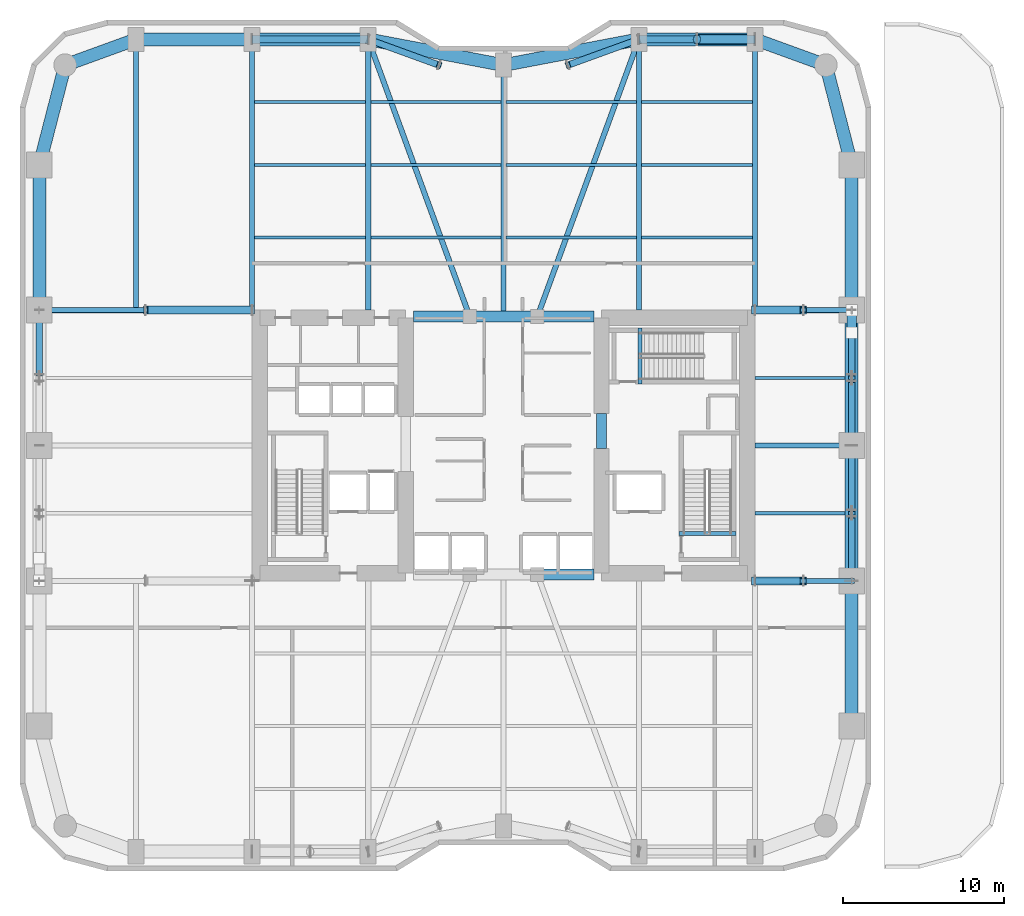
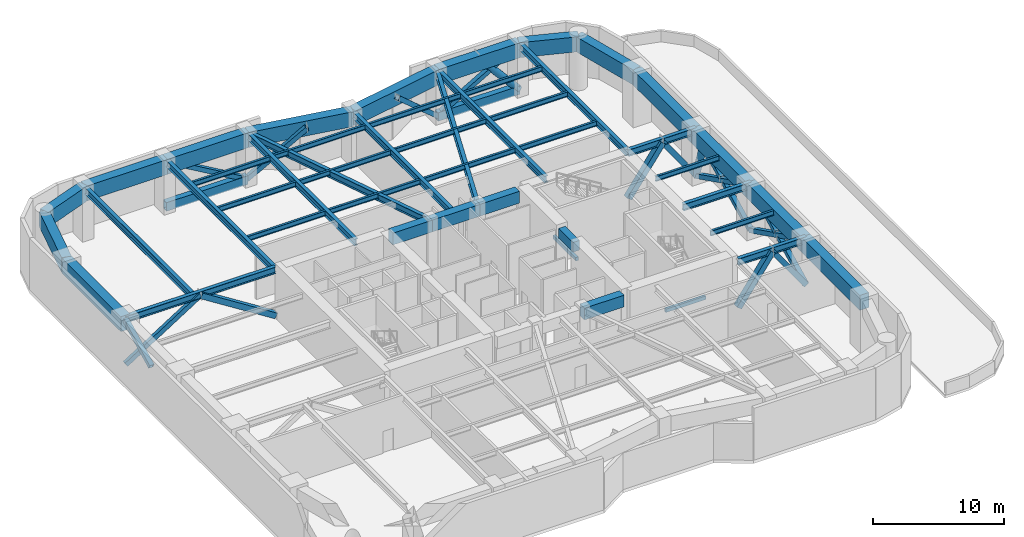
# One storey, part 2 of 16: 47 beams, 21 members.
"""IFC4 building model written with IfcOpenShell, lengths in metres."""

from ifc_helpers import new_model, si_unit, direction, frame, origin, origin_2d, place, context, subcontext, project, spatial, rectangle, hollow_rectangle, hollow_circle, i_section, extrude, material, material_profile, profile_set, type_object, element, save


model = new_model("IFC4")

# Units and contexts
model_context = context("Model", 3, precision=1e-05, world=origin(), true_north=direction((0.0, 1.0)))
body_context = subcontext(model_context, "Body", "Model", "MODEL_VIEW")
ifc_project = project(units=[si_unit("LENGTHUNIT", "METRE"), si_unit("AREAUNIT", "SQUARE_METRE"), si_unit("VOLUMEUNIT", "CUBIC_METRE"), si_unit("PLANEANGLEUNIT", "RADIAN"), si_unit("MASSUNIT", "GRAM", prefix="KILO")], contexts=[model_context])

# Site, building, storey
site_placement = place(None, origin())
site = spatial("IfcSite", under=ifc_project, at=site_placement, CompositionType="ELEMENT")
building_placement = place(site_placement, origin())
building = spatial("IfcBuilding", under=site, at=building_placement, Name="Kiyonajd Concourse Tower", CompositionType="ELEMENT")
storey_placement = place(building_placement, frame((0.0, 0.0, 80.699951171875)))
storey = spatial("IfcBuildingStorey", under=building, at=storey_placement, Name="L21", CompositionType="ELEMENT", Elevation=80.699951171875)

# Beams
ifc_material_1 = material(Name="Concrete C70/85", Category="concrete")
ifc_material_profile_1 = material_profile(ifc_material_1, rectangle(XDim=0.699951171875, YDim=1.10009765625, at=origin_2d()), Name="RCBM-700x1100")
ifc_profile_set_1 = profile_set([ifc_material_profile_1], Name="Concrete C70/85")
beam_type_1 = type_object("IfcBeamType", Name="BM-COUP-1100", PredefinedType="LINTEL", material=ifc_profile_set_1)
for number, where, z_axis, x_axis, name in (
    (1, (50.10009765625, 28.0, 4.2900390625), (1.0, 0.0, 0.0), (0.0, 1.0, 0.0), "L21 Core Coupling Beam S3"),
    (2, (42.39990234375, 44.0, 4.2900390625), (1.0, 0.0, 0.0), (0.0, 1.0, 0.0), "L21 Core Coupling Beam N1"),
):
    element("IfcBeam", number, at=place(storey_placement, frame(where, z_axis=z_axis, x_axis=x_axis)), inside=storey, type_object=beam_type_1, Name=name, PredefinedType="LINTEL", context=body_context, shape_type="SweptSolid", body=[
        extrude(rectangle(XDim=0.699951171875, YDim=1.10009765625, at=origin_2d()), origin(), (0.0, 0.0, 1.0), 3.5),
    ])
beam_1_placement = place(storey_placement, frame((45.89990234375, 44.0, 4.2900390625), z_axis=(1.0, 0.0, 0.0), x_axis=(0.0, 1.0, 0.0)))
element("IfcBeam", 3, at=beam_1_placement, inside=storey, type_object=beam_type_1, Name="L21 Core Coupling Beam N2", PredefinedType="LINTEL", context=body_context, shape_type="SweptSolid", body=[
    extrude(rectangle(XDim=0.699951171875, YDim=1.10009765625, at=origin_2d()), origin(), (0.0, 0.0, 1.0), 4.2001953125),
])
beam_2_placement = place(storey_placement, frame((50.10009765625, 44.0, 4.2900390625), z_axis=(1.0, 0.0, 0.0), x_axis=(0.0, 1.0, 0.0)))
element("IfcBeam", 4, at=beam_2_placement, inside=storey, type_object=beam_type_1, Name="L21 Core Coupling Beam N3", PredefinedType="LINTEL", context=body_context, shape_type="SweptSolid", body=[
    extrude(rectangle(XDim=0.699951171875, YDim=1.10009765625, at=origin_2d()), origin(), (0.0, 0.0, 1.0), 3.5),
])
ifc_material_2 = material(Name="Concrete C60/75", Category="concrete")
ifc_material_profile_2 = material_profile(ifc_material_2, rectangle(XDim=0.60009765625, YDim=0.89990234375, at=origin_2d()), Name="RCBM-600x900")
ifc_profile_set_2 = profile_set([ifc_material_profile_2], Name="Concrete C60/75")
beam_type_2 = type_object("IfcBeamType", Name="BM-COUP-900", PredefinedType="LINTEL", material=ifc_profile_set_2)
beam_3_placement = place(storey_placement, frame((54.074951171875, 35.800048828125, 4.2900390625), z_axis=(0.0, 1.0, 0.0), x_axis=(-1.0, 0.0, 0.0)))
element("IfcBeam", 5, at=beam_3_placement, inside=storey, type_object=beam_type_2, Name="L21 East Core Throat Coupling Lintel", PredefinedType="LINTEL", context=body_context, shape_type="SweptSolid", body=[
    extrude(rectangle(XDim=0.60009765625, YDim=0.89990234375, at=origin_2d()), origin(), (0.0, 0.0, 1.0), 2.199951171875),
])
ifc_material_3 = material(Name="Steel ASTM A992 Grade 50", Category="steel")
ifc_material_profile_3 = material_profile(ifc_material_3, i_section(OverallWidth=0.19189453125, OverallDepth=0.462890625, WebThickness=0.010498046875, FlangeThickness=0.017578125, at=origin_2d()), Name="W460X89")
ifc_profile_set_3 = profile_set([ifc_material_profile_3], Name="Steel ASTM A992 Grade 50")
beam_type_3 = type_object("IfcBeamType", Name="BM-JST-460B", PredefinedType="JOIST", material=ifc_profile_set_3)
beam_4_placement = place(storey_placement, frame((32.5634765625, 48.89990234375, 4.608642578125), z_axis=(1.0, 0.0, 0.0), x_axis=(0.0, 1.0, 0.0)))
element("IfcBeam", 6, at=beam_4_placement, inside=storey, type_object=beam_type_3, Name="L21 Secondary Floor Joist", PredefinedType="JOIST", context=body_context, shape_type="SweptSolid", body=[
    extrude(i_section(OverallWidth=0.19189453125, OverallDepth=0.462890625, WebThickness=0.010498046875, FlangeThickness=0.017578125, at=origin_2d()), origin(), (0.0, 0.0, 1.0), 6.873046875),
])
for number, where, z_axis, x_axis, name in (
    (7, (39.763427734375, 48.89990234375, 4.608642578125), (1.0, 0.0, 0.0), (0.0, 1.0, 0.0), "L21 Secondary Floor Joist"),
    (8, (48.16357421875, 48.89990234375, 4.608642578125), (1.0, 0.0, 0.0), (0.0, 1.0, 0.0), "L21 Secondary Floor Joist"),
):
    element("IfcBeam", number, at=place(storey_placement, frame(where, z_axis=z_axis, x_axis=x_axis)), inside=storey, type_object=beam_type_3, Name=name, PredefinedType="JOIST", context=body_context, shape_type="SweptSolid", body=[
        extrude(i_section(OverallWidth=0.19189453125, OverallDepth=0.462890625, WebThickness=0.010498046875, FlangeThickness=0.017578125, at=origin_2d()), origin(), (0.0, 0.0, 1.0), 8.072998046875),
    ])
for number, where, z_axis, x_axis, name in (
    (9, (56.5634765625, 48.89990234375, 4.608642578125), (1.0, 0.0, 0.0), (0.0, 1.0, 0.0), "L21 Secondary Floor Joist"),
    (10, (32.5634765625, 53.39990234375, 4.608642578125), (1.0, 0.0, 0.0), (0.0, 1.0, 0.0), "L21 Secondary Floor Joist"),
):
    element("IfcBeam", number, at=place(storey_placement, frame(where, z_axis=z_axis, x_axis=x_axis)), inside=storey, type_object=beam_type_3, Name=name, PredefinedType="JOIST", context=body_context, shape_type="SweptSolid", body=[
        extrude(i_section(OverallWidth=0.19189453125, OverallDepth=0.462890625, WebThickness=0.010498046875, FlangeThickness=0.017578125, at=origin_2d()), origin(), (0.0, 0.0, 1.0), 6.873046875),
    ])
for number, where, z_axis, x_axis, name in (
    (11, (39.763427734375, 53.39990234375, 4.608642578125), (1.0, 0.0, 0.0), (0.0, 1.0, 0.0), "L21 Secondary Floor Joist"),
    (12, (48.16357421875, 53.39990234375, 4.608642578125), (1.0, 0.0, 0.0), (0.0, 1.0, 0.0), "L21 Secondary Floor Joist"),
):
    element("IfcBeam", number, at=place(storey_placement, frame(where, z_axis=z_axis, x_axis=x_axis)), inside=storey, type_object=beam_type_3, Name=name, PredefinedType="JOIST", context=body_context, shape_type="SweptSolid", body=[
        extrude(i_section(OverallWidth=0.19189453125, OverallDepth=0.462890625, WebThickness=0.010498046875, FlangeThickness=0.017578125, at=origin_2d()), origin(), (0.0, 0.0, 1.0), 8.072998046875),
    ])
for number, where, z_axis, x_axis, name in (
    (13, (56.5634765625, 53.39990234375, 4.608642578125), (1.0, 0.0, 0.0), (0.0, 1.0, 0.0), "L21 Secondary Floor Joist"),
    (14, (32.5634765625, 57.300048828125, 4.608642578125), (1.0, 0.0, 0.0), (0.0, 1.0, 0.0), "L21 Secondary Floor Joist"),
):
    element("IfcBeam", number, at=place(storey_placement, frame(where, z_axis=z_axis, x_axis=x_axis)), inside=storey, type_object=beam_type_3, Name=name, PredefinedType="JOIST", context=body_context, shape_type="SweptSolid", body=[
        extrude(i_section(OverallWidth=0.19189453125, OverallDepth=0.462890625, WebThickness=0.010498046875, FlangeThickness=0.017578125, at=origin_2d()), origin(), (0.0, 0.0, 1.0), 6.873046875),
    ])
for number, where, z_axis, x_axis, name in (
    (15, (39.763427734375, 57.300048828125, 4.608642578125), (1.0, 0.0, 0.0), (0.0, 1.0, 0.0), "L21 Secondary Floor Joist"),
    (16, (48.16357421875, 57.300048828125, 4.608642578125), (1.0, 0.0, 0.0), (0.0, 1.0, 0.0), "L21 Secondary Floor Joist"),
):
    element("IfcBeam", number, at=place(storey_placement, frame(where, z_axis=z_axis, x_axis=x_axis)), inside=storey, type_object=beam_type_3, Name=name, PredefinedType="JOIST", context=body_context, shape_type="SweptSolid", body=[
        extrude(i_section(OverallWidth=0.19189453125, OverallDepth=0.462890625, WebThickness=0.010498046875, FlangeThickness=0.017578125, at=origin_2d()), origin(), (0.0, 0.0, 1.0), 8.072998046875),
    ])
beam_5_placement = place(storey_placement, frame((56.5634765625, 57.300048828125, 4.608642578125), z_axis=(1.0, 0.0, 0.0), x_axis=(0.0, 1.0, 0.0)))
element("IfcBeam", 17, at=beam_5_placement, inside=storey, type_object=beam_type_3, Name="L21 Secondary Floor Joist", PredefinedType="JOIST", context=body_context, shape_type="SweptSolid", body=[
    extrude(i_section(OverallWidth=0.19189453125, OverallDepth=0.462890625, WebThickness=0.010498046875, FlangeThickness=0.017578125, at=origin_2d()), origin(), (0.0, 0.0, 1.0), 6.873046875),
])
for number, where, z_axis, x_axis, name in (
    (18, (63.60009765625, 31.800048828125, 4.608642578125), (1.0, 0.0, 0.0), (0.0, 1.0, 0.0), "L21 East Secondary Floor Joist"),
    (19, (63.60009765625, 40.199951171875, 4.608642578125), (1.0, 0.0, 0.0), (0.0, 1.0, 0.0), "L21 East Secondary Floor Joist"),
):
    element("IfcBeam", number, at=place(storey_placement, frame(where, z_axis=z_axis, x_axis=x_axis)), inside=storey, type_object=beam_type_3, Name=name, PredefinedType="JOIST", context=body_context, shape_type="SweptSolid", body=[
        extrude(i_section(OverallWidth=0.19189453125, OverallDepth=0.462890625, WebThickness=0.010498046875, FlangeThickness=0.017578125, at=origin_2d()), origin(), (0.0, 0.0, 1.0), 5.599853515625),
    ])
ifc_material_4 = material(Name="Concrete C50/60", Category="concrete")
ifc_material_profile_4 = material_profile(ifc_material_4, rectangle(XDim=0.239990234375, YDim=0.320068359375, at=origin_2d()), Name="RCBM-240x320")
ifc_profile_set_4 = profile_set([ifc_material_profile_4], Name="Concrete C50/60")
beam_type_4 = type_object("IfcBeamType", Name="BM-LNT-250", PredefinedType="LINTEL", material=ifc_profile_set_4)
beam_6_placement = place(storey_placement, frame((58.889892578125, 30.530029296875, -0.159912109375), z_axis=(1.0, 0.0, 0.0), x_axis=(0.0, 1.0, 0.0)))
element("IfcBeam", 20, at=beam_6_placement, inside=storey, type_object=beam_type_4, Name="L21 Stair ST2 Threshold Support Beam", PredefinedType="LINTEL", context=body_context, shape_type="SweptSolid", body=[
    extrude(rectangle(XDim=0.239990234375, YDim=0.320068359375, at=origin_2d()), origin(), (0.0, 0.0, 1.0), 3.52001953125),
])
beam_7_placement = place(storey_placement, frame((56.4599609375, 39.820068359375, -0.159912109375), z_axis=(0.0, 1.0, 0.0), x_axis=(-1.0, 0.0, 0.0)))
element("IfcBeam", 21, at=beam_7_placement, inside=storey, type_object=beam_type_4, Name="L21 Stair ST3 Threshold Support Beam", PredefinedType="LINTEL", context=body_context, shape_type="SweptSolid", body=[
    extrude(rectangle(XDim=0.239990234375, YDim=0.320068359375, at=origin_2d()), origin(), (0.0, 0.0, 1.0), 3.4599609375),
])
ifc_material_profile_5 = material_profile(ifc_material_3, i_section(OverallWidth=0.326904296875, OverallDepth=0.6220703125, WebThickness=0.015380859375, FlangeThickness=0.0244140625, at=origin_2d()), Name="W610X195")
ifc_profile_set_5 = profile_set([ifc_material_profile_5], Name="Steel ASTM A992 Grade 50")
beam_type_5 = type_object("IfcBeamType", Name="BM-TWR-610A", PredefinedType="BEAM", material=ifc_profile_set_5)
for number, where, z_axis, x_axis, name in (
    (22, (39.60009765625, 61.199951171875, 4.529052734375), (0.343925269715, -0.938997022813, 0.0), (0.938997022813, 0.343925269715, 0.0), "L21 Core Tie Girder"),
    (23, (50.10009765625, 44.0, 4.529052734375), (0.343925269715, 0.938997022813, 0.0), (-0.938997022813, 0.343925269715, 0.0), "L21 Core Tie Girder"),
):
    element("IfcBeam", number, at=place(storey_placement, frame(where, z_axis=z_axis, x_axis=x_axis)), inside=storey, type_object=beam_type_5, Name=name, PredefinedType="BEAM", context=body_context, shape_type="SweptSolid", body=[
        extrude(i_section(OverallWidth=0.326904296875, OverallDepth=0.6220703125, WebThickness=0.015380859375, FlangeThickness=0.0244140625, at=origin_2d()), origin(), (0.0, 0.0, 1.0), 18.3173828125),
    ])
for number, where, z_axis, x_axis, name in (
    (24, (25.199951171875, 44.39990234375, 4.529052734375), (0.0, 1.0, 0.0), (-1.0, 0.0, 0.0), "L21 North Lease Girder"),
    (25, (32.39990234375, 44.39990234375, 4.529052734375), (0.0, 1.0, 0.0), (-1.0, 0.0, 0.0), "L21 North Lease Girder"),
    (26, (39.60009765625, 44.39990234375, 4.529052734375), (0.0, 1.0, 0.0), (-1.0, 0.0, 0.0), "L21 North Lease Girder"),
    (27, (56.39990234375, 44.39990234375, 4.529052734375), (0.0, 1.0, 0.0), (-1.0, 0.0, 0.0), "L21 North Lease Girder"),
    (28, (63.60009765625, 44.39990234375, 4.529052734375), (0.0, 1.0, 0.0), (-1.0, 0.0, 0.0), "L21 North Lease Girder"),
):
    element("IfcBeam", number, at=place(storey_placement, frame(where, z_axis=z_axis, x_axis=x_axis)), inside=storey, type_object=beam_type_5, Name=name, PredefinedType="BEAM", context=body_context, shape_type="SweptSolid", body=[
        extrude(i_section(OverallWidth=0.326904296875, OverallDepth=0.6220703125, WebThickness=0.015380859375, FlangeThickness=0.0244140625, at=origin_2d()), origin(), (0.0, 0.0, 1.0), 16.800048828125),
    ])
beam_8_placement = place(storey_placement, frame((48.0, 44.0, 4.529052734375), z_axis=(0.0, 1.0, 0.0), x_axis=(-1.0, 0.0, 0.0)))
element("IfcBeam", 29, at=beam_8_placement, inside=storey, type_object=beam_type_5, Name="L21 North Ribbon Girder", PredefinedType="BEAM", context=body_context, shape_type="SweptSolid", body=[
    extrude(i_section(OverallWidth=0.326904296875, OverallDepth=0.6220703125, WebThickness=0.015380859375, FlangeThickness=0.0244140625, at=origin_2d()), origin(), (0.0, 0.0, 1.0), 15.60009765625),
])
for number, where, z_axis, x_axis, name in (
    (30, (63.60009765625, 27.60009765625, 4.529052734375), (1.0, 0.0, 0.0), (0.0, 1.0, 0.0), "L21 East Lease Girder"),
    (31, (63.60009765625, 36.0, 4.529052734375), (1.0, 0.0, 0.0), (0.0, 1.0, 0.0), "L21 East Lease Girder"),
):
    element("IfcBeam", number, at=place(storey_placement, frame(where, z_axis=z_axis, x_axis=x_axis)), inside=storey, type_object=beam_type_5, Name=name, PredefinedType="BEAM", context=body_context, shape_type="SweptSolid", body=[
        extrude(i_section(OverallWidth=0.326904296875, OverallDepth=0.6220703125, WebThickness=0.015380859375, FlangeThickness=0.0244140625, at=origin_2d()), origin(), (0.0, 0.0, 1.0), 6.0),
    ])
beam_9_placement = place(storey_placement, frame((19.199951171875, 44.39990234375, 4.529052734375), z_axis=(1.0, 0.0, 0.0), x_axis=(0.0, 1.0, 0.0)))
element("IfcBeam", 32, at=beam_9_placement, inside=storey, type_object=beam_type_5, Name="L21 West Lease Girder", PredefinedType="BEAM", context=body_context, shape_type="SweptSolid", body=[
    extrude(i_section(OverallWidth=0.326904296875, OverallDepth=0.6220703125, WebThickness=0.015380859375, FlangeThickness=0.0244140625, at=origin_2d()), origin(), (0.0, 0.0, 1.0), 13.199951171875),
])
beam_10_placement = place(storey_placement, frame((63.60009765625, 44.39990234375, 4.529052734375), z_axis=(1.0, 0.0, 0.0), x_axis=(0.0, 1.0, 0.0)))
element("IfcBeam", 33, at=beam_10_placement, inside=storey, type_object=beam_type_5, Name="L21 East Lease Girder", PredefinedType="BEAM", context=body_context, shape_type="SweptSolid", body=[
    extrude(i_section(OverallWidth=0.326904296875, OverallDepth=0.6220703125, WebThickness=0.015380859375, FlangeThickness=0.0244140625, at=origin_2d()), origin(), (0.0, 0.0, 1.0), 6.0),
])
ifc_material_profile_6 = material_profile(ifc_material_2, rectangle(XDim=0.800048828125, YDim=1.39990234375, at=origin_2d()), Name="RCBM-800x1400")
ifc_profile_set_6 = profile_set([ifc_material_profile_6], Name="Concrete C60/75")
beam_type_6 = type_object("IfcBeamType", Name="BM-XFER-RC", PredefinedType="BEAM", material=ifc_profile_set_6)
beam_11_placement = place(storey_placement, frame((69.60009765625, 18.60009765625, 4.14013671875), z_axis=(0.0, 1.0, 0.0), x_axis=(-1.0, 0.0, 0.0)))
element("IfcBeam", 34, at=beam_11_placement, inside=storey, type_object=beam_type_6, Name="L21 Perimeter Bundled Tube Spandrel", PredefinedType="BEAM", context=body_context, shape_type="SweptSolid", body=[
    extrude(rectangle(XDim=0.800048828125, YDim=1.39990234375, at=origin_2d()), origin(), (0.0, 0.0, 1.0), 9.0),
])
for number, where, z_axis, x_axis, name in (
    (35, (69.60009765625, 27.60009765625, 4.14013671875), (0.0, 1.0, 0.0), (-1.0, 0.0, 0.0), "L21 Perimeter Bundled Tube Spandrel"),
    (36, (69.60009765625, 36.0, 4.14013671875), (0.0, 1.0, 0.0), (-1.0, 0.0, 0.0), "L21 Perimeter Bundled Tube Spandrel"),
):
    element("IfcBeam", number, at=place(storey_placement, frame(where, z_axis=z_axis, x_axis=x_axis)), inside=storey, type_object=beam_type_6, Name=name, PredefinedType="BEAM", context=body_context, shape_type="SweptSolid", body=[
        extrude(rectangle(XDim=0.800048828125, YDim=1.39990234375, at=origin_2d()), origin(), (0.0, 0.0, 1.0), 8.39990234375),
    ])
beam_12_placement = place(storey_placement, frame((69.60009765625, 44.39990234375, 4.14013671875), z_axis=(0.0, 1.0, 0.0), x_axis=(-1.0, 0.0, 0.0)))
element("IfcBeam", 37, at=beam_12_placement, inside=storey, type_object=beam_type_6, Name="L21 Perimeter Bundled Tube Spandrel", PredefinedType="BEAM", context=body_context, shape_type="SweptSolid", body=[
    extrude(rectangle(XDim=0.800048828125, YDim=1.39990234375, at=origin_2d()), origin(), (0.0, 0.0, 1.0), 9.0),
])
beam_13_placement = place(storey_placement, frame((69.60009765625, 53.39990234375, 4.14013671875), z_axis=(-0.249884937687, 0.968275538221, 0.0), x_axis=(-0.968275538221, -0.249884937687, 0.0)))
element("IfcBeam", 38, at=beam_13_placement, inside=storey, type_object=beam_type_6, Name="L21 Perimeter Bundled Tube Spandrel", PredefinedType="BEAM", context=body_context, shape_type="SweptSolid", body=[
    extrude(rectangle(XDim=0.800048828125, YDim=1.39990234375, at=origin_2d()), origin(), (0.0, 0.0, 1.0), 6.4033203125),
])
beam_14_placement = place(storey_placement, frame((68.0, 59.60009765625, 4.14013671875), z_axis=(-0.939801036019, 0.341722127901, 0.0), x_axis=(-0.341722127901, -0.939801036019, 0.0)))
element("IfcBeam", 39, at=beam_14_placement, inside=storey, type_object=beam_type_6, Name="L21 Perimeter Bundled Tube Spandrel", PredefinedType="BEAM", context=body_context, shape_type="SweptSolid", body=[
    extrude(rectangle(XDim=0.800048828125, YDim=1.39990234375, at=origin_2d()), origin(), (0.0, 0.0, 1.0), 4.681640625),
])
beam_15_placement = place(storey_placement, frame((63.60009765625, 61.199951171875, 4.14013671875), z_axis=(-1.0, 0.0, 0.0), x_axis=(0.0, -1.0, 0.0)))
element("IfcBeam", 40, at=beam_15_placement, inside=storey, type_object=beam_type_6, Name="L21 Perimeter Bundled Tube Spandrel", PredefinedType="BEAM", context=body_context, shape_type="SweptSolid", body=[
    extrude(rectangle(XDim=0.800048828125, YDim=1.39990234375, at=origin_2d()), origin(), (0.0, 0.0, 1.0), 7.2001953125),
])
for number, where, z_axis, x_axis, name in (
    (41, (56.39990234375, 61.199951171875, 4.14013671875), (-0.982341315253, -0.187097675953, 0.0), (0.187097675953, -0.982341315253, 0.0), "L21 Perimeter Bundled Tube Spandrel"),
    (42, (48.0, 59.60009765625, 4.14013671875), (-0.982341315253, 0.187097675953, 0.0), (-0.187097675953, -0.982341315253, 0.0), "L21 Perimeter Bundled Tube Spandrel"),
):
    element("IfcBeam", number, at=place(storey_placement, frame(where, z_axis=z_axis, x_axis=x_axis)), inside=storey, type_object=beam_type_6, Name=name, PredefinedType="BEAM", context=body_context, shape_type="SweptSolid", body=[
        extrude(rectangle(XDim=0.800048828125, YDim=1.39990234375, at=origin_2d()), origin(), (0.0, 0.0, 1.0), 8.55078125),
    ])
beam_16_placement = place(storey_placement, frame((39.60009765625, 61.199951171875, 4.14013671875), z_axis=(-1.0, 0.0, 0.0), x_axis=(0.0, -1.0, 0.0)))
element("IfcBeam", 43, at=beam_16_placement, inside=storey, type_object=beam_type_6, Name="L21 Perimeter Bundled Tube Spandrel", PredefinedType="BEAM", context=body_context, shape_type="SweptSolid", body=[
    extrude(rectangle(XDim=0.800048828125, YDim=1.39990234375, at=origin_2d()), origin(), (0.0, 0.0, 1.0), 7.2001953125),
])
beam_17_placement = place(storey_placement, frame((32.39990234375, 61.199951171875, 4.14013671875), z_axis=(-1.0, 0.0, 0.0), x_axis=(0.0, -1.0, 0.0)))
element("IfcBeam", 44, at=beam_17_placement, inside=storey, type_object=beam_type_6, Name="L21 Perimeter Bundled Tube Spandrel", PredefinedType="BEAM", context=body_context, shape_type="SweptSolid", body=[
    extrude(rectangle(XDim=0.800048828125, YDim=1.39990234375, at=origin_2d()), origin(), (0.0, 0.0, 1.0), 7.199951171875),
])
beam_18_placement = place(storey_placement, frame((25.199951171875, 61.199951171875, 4.14013671875), z_axis=(-0.939801036019, -0.341722127901, 0.0), x_axis=(0.341722127901, -0.939801036019, 0.0)))
element("IfcBeam", 45, at=beam_18_placement, inside=storey, type_object=beam_type_6, Name="L21 Perimeter Bundled Tube Spandrel", PredefinedType="BEAM", context=body_context, shape_type="SweptSolid", body=[
    extrude(rectangle(XDim=0.800048828125, YDim=1.39990234375, at=origin_2d()), origin(), (0.0, 0.0, 1.0), 4.681640625),
])
beam_19_placement = place(storey_placement, frame((20.800048828125, 59.60009765625, 4.14013671875), z_axis=(-0.249884937687, -0.968275538221, 0.0), x_axis=(0.968275538221, -0.249884937687, 0.0)))
element("IfcBeam", 46, at=beam_19_placement, inside=storey, type_object=beam_type_6, Name="L21 Perimeter Bundled Tube Spandrel", PredefinedType="BEAM", context=body_context, shape_type="SweptSolid", body=[
    extrude(rectangle(XDim=0.800048828125, YDim=1.39990234375, at=origin_2d()), origin(), (0.0, 0.0, 1.0), 6.4033203125),
])
beam_20_placement = place(storey_placement, frame((19.199951171875, 53.39990234375, 4.14013671875), z_axis=(0.0, -1.0, 0.0), x_axis=(1.0, 0.0, 0.0)))
element("IfcBeam", 47, at=beam_20_placement, inside=storey, type_object=beam_type_6, Name="L21 Perimeter Bundled Tube Spandrel", PredefinedType="BEAM", context=body_context, shape_type="SweptSolid", body=[
    extrude(rectangle(XDim=0.800048828125, YDim=1.39990234375, at=origin_2d()), origin(), (0.0, 0.0, 1.0), 9.0),
])

# Members
ifc_material_5 = material(Name="Steel ASTM A572 Grade 50", Category="steel")
ifc_material_profile_7 = material_profile(ifc_material_5, hollow_rectangle(XDim=0.5, YDim=0.800048828125, WallThickness=0.044921875, at=origin_2d()), Name="BOX-800x500x45")
ifc_profile_set_7 = profile_set([ifc_material_profile_7], Name="Steel ASTM A572 Grade 50")
member_type_1 = type_object("IfcMemberType", Name="MB-BT-CHORD", PredefinedType="CHORD", material=ifc_profile_set_7)
for number, where, z_axis, x_axis, name in (
    (48, (32.39990234375, 61.199951171875, 0.300048828125), (1.0, 0.0, 0.0), (0.0, 1.0, 0.0), "L21 Belt Truss Bottom Chord 03"),
    (49, (56.39990234375, 61.199951171875, 0.300048828125), (1.0, 0.0, 0.0), (0.0, 1.0, 0.0), "L21 Belt Truss Bottom Chord 04"),
):
    element("IfcMember", number, at=place(storey_placement, frame(where, z_axis=z_axis, x_axis=x_axis)), inside=storey, type_object=member_type_1, Name=name, PredefinedType="CHORD", context=body_context, shape_type="SweptSolid", body=[
        extrude(hollow_rectangle(XDim=0.5, YDim=0.800048828125, WallThickness=0.044921875, at=origin_2d()), origin(), (0.0, 0.0, 1.0), 7.2001953125),
    ])
ifc_material_6 = material(Name="Steel ASTM A500 Grade C", Category="steel")
ifc_material_profile_8 = material_profile(ifc_material_6, hollow_rectangle(XDim=0.39990234375, YDim=0.39990234375, WallThickness=0.02001953125, at=origin_2d()), Name="HSS-400x400x20")
ifc_profile_set_8 = profile_set([ifc_material_profile_8], Name="Steel ASTM A500 Grade C")
member_type_2 = type_object("IfcMemberType", Name="MB-BT-DIAG", PredefinedType="BRACE", material=ifc_profile_set_8)
member_1_placement = place(storey_placement, frame((32.39990234375, 61.199951171875, 4.489990234375), z_axis=(0.864309887025, 0.0, -0.502959659607), x_axis=(0.0, 1.0, 0.0)))
element("IfcMember", 50, at=member_1_placement, inside=storey, type_object=member_type_2, Name="L21 Outrigger and Belt Truss Member 13", PredefinedType="BRACE", context=body_context, shape_type="SweptSolid", body=[
    extrude(hollow_rectangle(XDim=0.39990234375, YDim=0.39990234375, WallThickness=0.02001953125, at=origin_2d()), origin(), (0.0, 0.0, 1.0), 8.33056640625),
])
for number, where, z_axis, x_axis, name in (
    (51, (39.60009765625, 61.199951171875, 0.300048828125), (0.700302898396, -0.254637936588, 0.666884826449), (0.341722127901, 0.939801036019, 0.0), "L21 Outrigger and Belt Truss Member 14"),
    (52, (52.0, 59.60009765625, 4.489990234375), (0.700302898396, 0.254637936588, -0.666884826449), (-0.341722127901, 0.939801036019, 0.0), "L21 Outrigger and Belt Truss Member 15"),
):
    element("IfcMember", number, at=place(storey_placement, frame(where, z_axis=z_axis, x_axis=x_axis)), inside=storey, type_object=member_type_2, Name=name, PredefinedType="BRACE", context=body_context, shape_type="SweptSolid", body=[
        extrude(hollow_rectangle(XDim=0.39990234375, YDim=0.39990234375, WallThickness=0.02001953125, at=origin_2d()), origin(), (0.0, 0.0, 1.0), 6.282958984375),
    ])
member_2_placement = place(storey_placement, frame((56.39990234375, 61.199951171875, 0.300048828125), z_axis=(0.864309887025, 0.0, 0.502959659607), x_axis=(0.0, 1.0, 0.0)))
element("IfcMember", 53, at=member_2_placement, inside=storey, type_object=member_type_2, Name="L21 Outrigger and Belt Truss Member 16", PredefinedType="BRACE", context=body_context, shape_type="SweptSolid", body=[
    extrude(hollow_rectangle(XDim=0.39990234375, YDim=0.39990234375, WallThickness=0.02001953125, at=origin_2d()), origin(), (0.0, 0.0, 1.0), 8.33056640625),
])
member_3_placement = place(storey_placement, frame((19.199951171875, 40.40576171875, 2.497802734375), z_axis=(0.0, 0.894864349312, 0.446338208459), x_axis=(-1.0, 0.0, 0.0)))
element("IfcMember", 54, at=member_3_placement, inside=storey, type_object=member_type_2, Name="L21 Belt Truss Split X Brace Upper W2", PredefinedType="BRACE", context=body_context, shape_type="SweptSolid", body=[
    extrude(hollow_rectangle(XDim=0.39990234375, YDim=0.39990234375, WallThickness=0.02001953125, at=origin_2d()), origin(), (0.0, 0.0, 1.0), 4.46337890625),
])
member_4_placement = place(storey_placement, frame((69.60009765625, 27.60009765625, 4.489990234375), z_axis=(0.0, 0.894853325898, -0.44636030864), x_axis=(-1.0, 0.0, 0.0)))
element("IfcMember", 55, at=member_4_placement, inside=storey, type_object=member_type_2, Name="L21 Belt Truss Continuous X Brace E1", PredefinedType="BRACE", context=body_context, shape_type="SweptSolid", body=[
    extrude(hollow_rectangle(XDim=0.39990234375, YDim=0.39990234375, WallThickness=0.02001953125, at=origin_2d()), origin(), (0.0, 0.0, 1.0), 9.386962890625),
])
for number, where, z_axis, x_axis, name in (
    (56, (69.60009765625, 27.60009765625, 0.300048828125), (0.0, 0.894864349312, 0.446338208459), (-1.0, 0.0, 0.0), "L21 Belt Truss Split X Brace Lower E1"),
    (57, (69.60009765625, 32.005859375, 2.497802734375), (0.0, 0.894864349312, 0.446338208459), (-1.0, 0.0, 0.0), "L21 Belt Truss Split X Brace Upper E1"),
):
    element("IfcMember", number, at=place(storey_placement, frame(where, z_axis=z_axis, x_axis=x_axis)), inside=storey, type_object=member_type_2, Name=name, PredefinedType="BRACE", context=body_context, shape_type="SweptSolid", body=[
        extrude(hollow_rectangle(XDim=0.39990234375, YDim=0.39990234375, WallThickness=0.02001953125, at=origin_2d()), origin(), (0.0, 0.0, 1.0), 4.46337890625),
    ])
member_5_placement = place(storey_placement, frame((69.60009765625, 36.0, 4.489990234375), z_axis=(0.0, 0.894853325898, -0.44636030864), x_axis=(-1.0, 0.0, 0.0)))
element("IfcMember", 58, at=member_5_placement, inside=storey, type_object=member_type_2, Name="L21 Belt Truss Continuous X Brace E2", PredefinedType="BRACE", context=body_context, shape_type="SweptSolid", body=[
    extrude(hollow_rectangle(XDim=0.39990234375, YDim=0.39990234375, WallThickness=0.02001953125, at=origin_2d()), origin(), (0.0, 0.0, 1.0), 9.386962890625),
])
for number, where, z_axis, x_axis, name in (
    (59, (69.60009765625, 36.0, 0.300048828125), (0.0, 0.894864349312, 0.446338208459), (-1.0, 0.0, 0.0), "L21 Belt Truss Split X Brace Lower E2"),
    (60, (69.60009765625, 40.40576171875, 2.497802734375), (0.0, 0.894864349312, 0.446338208459), (-1.0, 0.0, 0.0), "L21 Belt Truss Split X Brace Upper E2"),
):
    element("IfcMember", number, at=place(storey_placement, frame(where, z_axis=z_axis, x_axis=x_axis)), inside=storey, type_object=member_type_2, Name=name, PredefinedType="BRACE", context=body_context, shape_type="SweptSolid", body=[
        extrude(hollow_rectangle(XDim=0.39990234375, YDim=0.39990234375, WallThickness=0.02001953125, at=origin_2d()), origin(), (0.0, 0.0, 1.0), 4.46337890625),
    ])
ifc_material_profile_9 = material_profile(ifc_material_6, hollow_rectangle(XDim=0.300048828125, YDim=0.449951171875, WallThickness=0.02197265625, at=origin_2d()), Name="HSS-450x300x22")
ifc_profile_set_9 = profile_set([ifc_material_profile_9], Name="Steel ASTM A500 Grade C")
member_type_3 = type_object("IfcMemberType", Name="MB-OT-DIAG", PredefinedType="BRACE", material=ifc_profile_set_9)
member_6_placement = place(storey_placement, frame((25.800048828125, 44.39990234375, 4.489990234375), z_axis=(-0.844247356721, 0.0, -0.535953729971), x_axis=(0.0, -1.0, 0.0)))
element("IfcMember", 61, at=member_6_placement, inside=storey, type_object=member_type_3, Name="L21 Outrigger and Belt Truss Member 04", PredefinedType="BRACE", context=body_context, shape_type="SweptSolid", body=[
    extrude(hollow_rectangle(XDim=0.300048828125, YDim=0.449951171875, WallThickness=0.02197265625, at=origin_2d()), origin(), (0.0, 0.0, 1.0), 7.817626953125),
])
for number, where, z_axis, x_axis, name in (
    (62, (66.60009765625, 27.60009765625, 4.489990234375), (0.582161018937, 0.0, -0.81307351945), (0.0, 1.0, 0.0), "L21 Outrigger and Belt Truss Member 06"),
    (63, (66.60009765625, 44.39990234375, 4.489990234375), (0.582161018937, 0.0, -0.81307351945), (0.0, 1.0, 0.0), "L21 Outrigger and Belt Truss Member 08"),
):
    element("IfcMember", number, at=place(storey_placement, frame(where, z_axis=z_axis, x_axis=x_axis)), inside=storey, type_object=member_type_3, Name=name, PredefinedType="BRACE", context=body_context, shape_type="SweptSolid", body=[
        extrude(hollow_rectangle(XDim=0.300048828125, YDim=0.449951171875, WallThickness=0.02197265625, at=origin_2d()), origin(), (0.0, 0.0, 1.0), 5.1533203125),
    ])
ifc_material_profile_10 = material_profile(ifc_material_5, hollow_rectangle(XDim=0.5, YDim=0.5, WallThickness=0.02490234375, at=origin_2d()), Name="HSS-500x500x25")
ifc_profile_set_10 = profile_set([ifc_material_profile_10], Name="Steel ASTM A572 Grade 50")
member_type_4 = type_object("IfcMemberType", Name="MB-OT-STRUT", PredefinedType="STRUT", material=ifc_profile_set_10)
member_7_placement = place(storey_placement, frame((32.39990234375, 44.39990234375, 0.300048828125), z_axis=(-0.844238385921, 0.0, 0.535967860732), x_axis=(0.0, -1.0, 0.0)))
element("IfcMember", 64, at=member_7_placement, inside=storey, type_object=member_type_4, Name="L21 Outrigger and Belt Truss Member 03", PredefinedType="STRUT", context=body_context, shape_type="SweptSolid", body=[
    extrude(hollow_rectangle(XDim=0.5, YDim=0.5, WallThickness=0.02490234375, at=origin_2d()), origin(), (0.0, 0.0, 1.0), 7.817626953125),
])
for number, where, z_axis, x_axis, name in (
    (65, (63.60009765625, 27.60009765625, 0.300048828125), (0.582161018937, 0.0, 0.81307351945), (0.0, 1.0, 0.0), "L21 Outrigger and Belt Truss Member 05"),
    (66, (63.60009765625, 44.39990234375, 0.300048828125), (0.582161018937, 0.0, 0.81307351945), (0.0, 1.0, 0.0), "L21 Outrigger and Belt Truss Member 07"),
):
    element("IfcMember", number, at=place(storey_placement, frame(where, z_axis=z_axis, x_axis=x_axis)), inside=storey, type_object=member_type_4, Name=name, PredefinedType="STRUT", context=body_context, shape_type="SweptSolid", body=[
        extrude(hollow_rectangle(XDim=0.5, YDim=0.5, WallThickness=0.02490234375, at=origin_2d()), origin(), (0.0, 0.0, 1.0), 5.1533203125),
    ])
ifc_material_profile_11 = material_profile(ifc_material_5, hollow_circle(Radius=0.304931640625, WallThickness=0.02490234375, at=origin_2d()), Name="CHS-610x25")
ifc_profile_set_11 = profile_set([ifc_material_profile_11], Name="Steel ASTM A572 Grade 50")
member_type_5 = type_object("IfcMemberType", Name="MB-PB-LOW", PredefinedType="BRACE", material=ifc_profile_set_11)
member_8_placement = place(storey_placement, frame((63.60009765625, 61.199951171875, 0.300048828125), z_axis=(-0.651700805052, 0.0, 0.758476143788), x_axis=(0.0, -1.0, 0.0)))
element("IfcMember", 67, at=member_8_placement, inside=storey, type_object=member_type_5, Name="L21 Lower Zone Welded Tube Brace PBN", PredefinedType="BRACE", context=body_context, shape_type="SweptSolid", body=[
    extrude(hollow_circle(Radius=0.304931640625, WallThickness=0.02490234375, at=origin_2d()), origin(), (0.0, 0.0, 1.0), 5.524169921875),
])
member_9_placement = place(storey_placement, frame((69.60009765625, 44.39990234375, 0.300048828125), z_axis=(0.0, -0.316890871599, 0.9484620053), x_axis=(1.0, 0.0, 0.0)))
element("IfcMember", 68, at=member_9_placement, inside=storey, type_object=member_type_5, Name="L21 Lower Zone Welded Tube Brace PBE", PredefinedType="BRACE", context=body_context, shape_type="SweptSolid", body=[
    extrude(hollow_circle(Radius=0.304931640625, WallThickness=0.02490234375, at=origin_2d()), origin(), (0.0, 0.0, 1.0), 4.417724609375),
])

save(model, "model.ifc")
